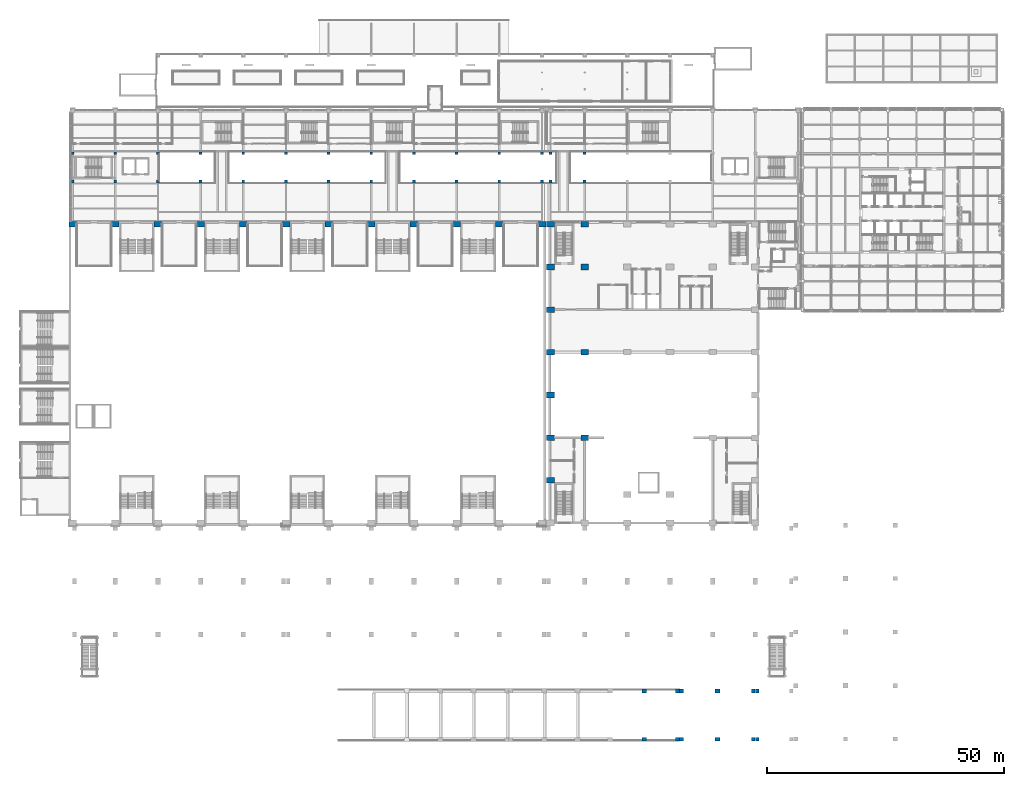
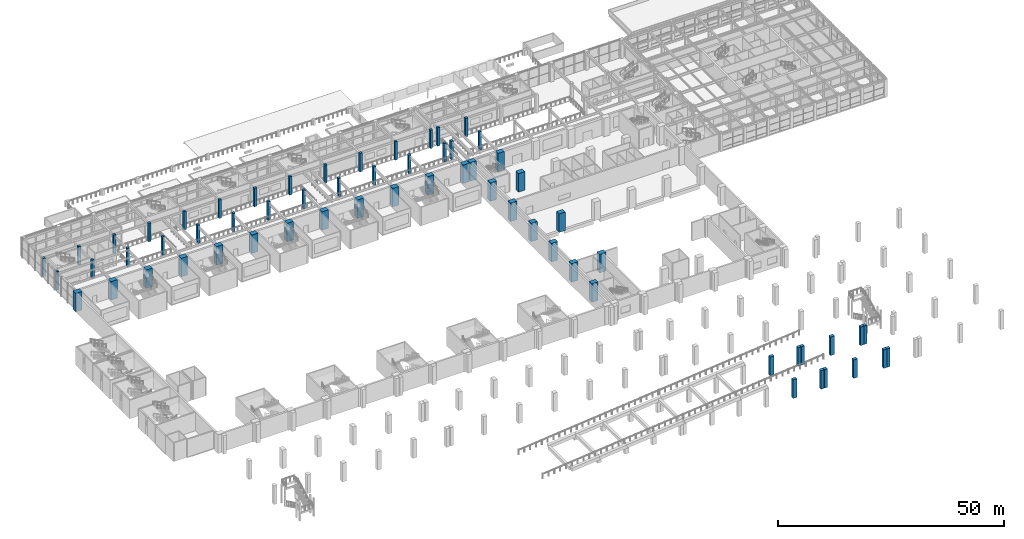
# One storey, part 2 of 67: 63 columns.
"""IFC4 building model written with IfcOpenShell, lengths in metres."""

from ifc_helpers import new_model, si_unit, direction, frame, origin, origin_2d, place, context, subcontext, project, spatial, rectangle, extrude, material, material_profile, profile_set, type_object, element, save


model = new_model("IFC4")

# Units and contexts
model_context = context("Model", 3, precision=1e-05, world=origin(), true_north=direction((0.0, 1.0)))
body_context = subcontext(model_context, "Body", "Model", "MODEL_VIEW")
ifc_project = project(units=[si_unit("LENGTHUNIT", "METRE"), si_unit("AREAUNIT", "SQUARE_METRE"), si_unit("VOLUMEUNIT", "CUBIC_METRE"), si_unit("PLANEANGLEUNIT", "RADIAN"), si_unit("MASSUNIT", "GRAM", prefix="KILO")], contexts=[model_context])

# Site, building, storey
site_placement = place(None, origin())
site = spatial("IfcSite", under=ifc_project, at=site_placement, CompositionType="ELEMENT")
building_placement = place(site_placement, origin())
building = spatial("IfcBuilding", under=site, at=building_placement, Name="Aravalli Gate Trade Fair Centre", CompositionType="ELEMENT")
storey_placement = place(building_placement, frame((0.0, 0.0, 5.0)))
storey = spatial("IfcBuildingStorey", under=building, at=storey_placement, Name="L01", CompositionType="ELEMENT", Elevation=5.0)

# Columns
ifc_material = material(Name="Concrete M45", Category="concrete")
ifc_material_profile_1 = material_profile(ifc_material, rectangle(XDim=1.60009765625, YDim=1.199951171875, at=origin_2d()), Name="RC 1600x1200")
ifc_profile_set_1 = profile_set([ifc_material_profile_1], Name="Concrete M45")
column_type_1 = type_object("IfcColumnType", Name="Congress RC column 1600 x 1200", PredefinedType="COLUMN", material=ifc_profile_set_1)
for number, where, z_axis, x_axis, name in (
    (1, (106.800048828125, 55.0, 0.0), (0.0, 0.0, 1.0), (1.0, 0.0, 0.0), "Congress column 106.8/55 L01"),
    (2, (106.800048828125, 64.0, 0.0), (0.0, 0.0, 1.0), (1.0, 0.0, 0.0), "Congress column 106.8/64 L01"),
    (3, (106.800048828125, 73.0, 0.0), (0.0, 0.0, 1.0), (1.0, 0.0, 0.0), "Congress column 106.8/73 L01"),
    (4, (106.800048828125, 82.0, 0.0), (0.0, 0.0, 1.0), (1.0, 0.0, 0.0), "Congress column 106.8/82 L01"),
    (5, (106.800048828125, 91.0, 0.0), (0.0, 0.0, 1.0), (1.0, 0.0, 0.0), "Congress column 106.8/91 L01"),
    (6, (106.800048828125, 100.0, 0.0), (0.0, 0.0, 1.0), (1.0, 0.0, 0.0), "Congress column 106.8/100 L01"),
    (7, (106.800048828125, 109.0, 0.0), (0.0, 0.0, 1.0), (1.0, 0.0, 0.0), "Congress column 106.8/109 L01"),
    (8, (114.0, 109.0, 0.0), (0.0, 0.0, 1.0), (1.0, 0.0, 0.0), "Congress column 114.0/109 L01"),
):
    element("IfcColumn", number, at=place(storey_placement, frame(where, z_axis=z_axis, x_axis=x_axis)), inside=storey, type_object=column_type_1, Name=name, PredefinedType="COLUMN", context=body_context, shape_type="SweptSolid", body=[
        extrude(rectangle(XDim=1.60009765625, YDim=1.199951171875, at=origin_2d()), origin(), (0.0, 0.0, 1.0), 5.0),
    ])
ifc_material_profile_2 = material_profile(ifc_material, rectangle(XDim=1.60009765625, YDim=1.199951171875, at=origin_2d()), Name="RC 1600x1200")
ifc_profile_set_2 = profile_set([ifc_material_profile_2], Name="Concrete M45")
column_type_2 = type_object("IfcColumnType", Name="Congress RC column 1600 x 1200, heavy stack", PredefinedType="COLUMN", material=ifc_profile_set_2)
for number, where, z_axis, x_axis, name in (
    (9, (114.0, 64.0, 0.0), (0.0, 0.0, 1.0), (1.0, 0.0, 0.0), "Congress column 114.0/64 L01"),
    (10, (114.0, 82.0, 0.0), (0.0, 0.0, 1.0), (1.0, 0.0, 0.0), "Congress column 114.0/82 L01"),
    (11, (114.0, 100.0, 0.0), (0.0, 0.0, 1.0), (1.0, 0.0, 0.0), "Congress column 114.0/100 L01"),
):
    element("IfcColumn", number, at=place(storey_placement, frame(where, z_axis=z_axis, x_axis=x_axis)), inside=storey, type_object=column_type_2, Name=name, PredefinedType="COLUMN", context=body_context, shape_type="SweptSolid", body=[
        extrude(rectangle(XDim=1.60009765625, YDim=1.199951171875, at=origin_2d()), origin(), (0.0, 0.0, 1.0), 5.0),
    ])
ifc_material_profile_3 = material_profile(ifc_material, rectangle(XDim=1.60009765625, YDim=1.199951171875, at=origin_2d()), Name="RC 1600x1200")
ifc_profile_set_3 = profile_set([ifc_material_profile_3], Name="Concrete M45")
column_type_3 = type_object("IfcColumnType", Name="Hall end-line spine column HC2", PredefinedType="COLUMN", material=ifc_profile_set_3)
for number, where, z_axis, x_axis, name in (
    (12, (6.0, 109.0, 0.0), (0.0, 0.0, 1.0), (1.0, 0.0, 0.0), "Spine column H1 L01"),
    (13, (105.0, 109.0, 0.0), (0.0, 0.0, 1.0), (1.0, 0.0, 0.0), "Spine column H12 L01"),
):
    element("IfcColumn", number, at=place(storey_placement, frame(where, z_axis=z_axis, x_axis=x_axis)), inside=storey, type_object=column_type_3, Name=name, PredefinedType="COLUMN", context=body_context, shape_type="SweptSolid", body=[
        extrude(rectangle(XDim=1.60009765625, YDim=1.199951171875, at=origin_2d()), origin(), (0.0, 0.0, 1.0), 5.0),
    ])
ifc_material_profile_4 = material_profile(ifc_material, rectangle(XDim=1.60009765625, YDim=1.199951171875, at=origin_2d()), Name="RC 1600x1200")
ifc_profile_set_4 = profile_set([ifc_material_profile_4], Name="Concrete M45")
column_type_4 = type_object("IfcColumnType", Name="Hall spine column HC1", PredefinedType="COLUMN", material=ifc_profile_set_4)
for number, where, z_axis, x_axis, name in (
    (14, (15.0, 109.0, 0.0), (0.0, 0.0, 1.0), (1.0, 0.0, 0.0), "Spine column H2 L01"),
    (15, (24.0, 109.0, 0.0), (0.0, 0.0, 1.0), (1.0, 0.0, 0.0), "Spine column H3 L01"),
    (16, (33.0, 109.0, 0.0), (0.0, 0.0, 1.0), (1.0, 0.0, 0.0), "Spine column H4 L01"),
    (17, (42.0, 109.0, 0.0), (0.0, 0.0, 1.0), (1.0, 0.0, 0.0), "Spine column H5 L01"),
    (18, (51.0, 109.0, 0.0), (0.0, 0.0, 1.0), (1.0, 0.0, 0.0), "Spine column H6 L01"),
    (19, (60.0, 109.0, 0.0), (0.0, 0.0, 1.0), (1.0, 0.0, 0.0), "Spine column H7 L01"),
    (20, (69.0, 109.0, 0.0), (0.0, 0.0, 1.0), (1.0, 0.0, 0.0), "Spine column H8 L01"),
    (21, (78.0, 109.0, 0.0), (0.0, 0.0, 1.0), (1.0, 0.0, 0.0), "Spine column H9 L01"),
    (22, (87.0, 109.0, 0.0), (0.0, 0.0, 1.0), (1.0, 0.0, 0.0), "Spine column H10 L01"),
    (23, (96.0, 109.0, 0.0), (0.0, 0.0, 1.0), (1.0, 0.0, 0.0), "Spine column H11 L01"),
):
    element("IfcColumn", number, at=place(storey_placement, frame(where, z_axis=z_axis, x_axis=x_axis)), inside=storey, type_object=column_type_4, Name=name, PredefinedType="COLUMN", context=body_context, shape_type="SweptSolid", body=[
        extrude(rectangle(XDim=1.60009765625, YDim=1.199951171875, at=origin_2d()), origin(), (0.0, 0.0, 1.0), 5.0),
    ])
ifc_material_profile_5 = material_profile(ifc_material, rectangle(XDim=0.60009765625, YDim=0.60009765625, at=origin_2d()), Name="RC column 600 x 600")
ifc_profile_set_5 = profile_set([ifc_material_profile_5], Name="Concrete M45")
column_type_5 = type_object("IfcColumnType", Name="RC column 600 x 600", PredefinedType="COLUMN", material=ifc_profile_set_5)
for number, where, z_axis, x_axis, name in (
    (24, (6.0, 118.0, 0.0), (0.0, 0.0, 1.0), (1.0, 0.0, 0.0), "Concourse column S01 L01"),
    (25, (6.0, 124.0, 0.0), (0.0, 0.0, 1.0), (1.0, 0.0, 0.0), "Concourse column N01 L01"),
    (26, (15.0, 118.0, 0.0), (0.0, 0.0, 1.0), (1.0, 0.0, 0.0), "Concourse column S02 L01"),
    (27, (15.0, 124.0, 0.0), (0.0, 0.0, 1.0), (1.0, 0.0, 0.0), "Concourse column N02 L01"),
    (28, (24.0, 118.0, 0.0), (0.0, 0.0, 1.0), (1.0, 0.0, 0.0), "Concourse column S03 L01"),
    (29, (24.0, 124.0, 0.0), (0.0, 0.0, 1.0), (1.0, 0.0, 0.0), "Concourse column N03 L01"),
    (30, (33.0, 118.0, 0.0), (0.0, 0.0, 1.0), (1.0, 0.0, 0.0), "Concourse column S04 L01"),
    (31, (33.0, 124.0, 0.0), (0.0, 0.0, 1.0), (1.0, 0.0, 0.0), "Concourse column N04 L01"),
    (32, (42.0, 118.0, 0.0), (0.0, 0.0, 1.0), (1.0, 0.0, 0.0), "Concourse column S05 L01"),
    (33, (42.0, 124.0, 0.0), (0.0, 0.0, 1.0), (1.0, 0.0, 0.0), "Concourse column N05 L01"),
    (34, (51.0, 118.0, 0.0), (0.0, 0.0, 1.0), (1.0, 0.0, 0.0), "Concourse column S06 L01"),
    (35, (51.0, 124.0, 0.0), (0.0, 0.0, 1.0), (1.0, 0.0, 0.0), "Concourse column N06 L01"),
    (36, (60.0, 118.0, 0.0), (0.0, 0.0, 1.0), (1.0, 0.0, 0.0), "Concourse column S07 L01"),
    (37, (60.0, 124.0, 0.0), (0.0, 0.0, 1.0), (1.0, 0.0, 0.0), "Concourse column N07 L01"),
    (38, (69.0, 118.0, 0.0), (0.0, 0.0, 1.0), (1.0, 0.0, 0.0), "Concourse column S08 L01"),
    (39, (69.0, 124.0, 0.0), (0.0, 0.0, 1.0), (1.0, 0.0, 0.0), "Concourse column N08 L01"),
    (40, (78.0, 118.0, 0.0), (0.0, 0.0, 1.0), (1.0, 0.0, 0.0), "Concourse column S09 L01"),
    (41, (78.0, 124.0, 0.0), (0.0, 0.0, 1.0), (1.0, 0.0, 0.0), "Concourse column N09 L01"),
    (42, (87.0, 118.0, 0.0), (0.0, 0.0, 1.0), (1.0, 0.0, 0.0), "Concourse column S10 L01"),
    (43, (87.0, 124.0, 0.0), (0.0, 0.0, 1.0), (1.0, 0.0, 0.0), "Concourse column N10 L01"),
    (44, (96.0, 118.0, 0.0), (0.0, 0.0, 1.0), (1.0, 0.0, 0.0), "Concourse column S11 L01"),
    (45, (96.0, 124.0, 0.0), (0.0, 0.0, 1.0), (1.0, 0.0, 0.0), "Concourse column N11 L01"),
    (46, (105.0, 118.0, 0.0), (0.0, 0.0, 1.0), (1.0, 0.0, 0.0), "Concourse column S12 L01"),
    (47, (105.0, 124.0, 0.0), (0.0, 0.0, 1.0), (1.0, 0.0, 0.0), "Concourse column N12 L01"),
    (48, (106.800048828125, 118.0, 0.0), (0.0, 0.0, 1.0), (1.0, 0.0, 0.0), "Concourse column S12A L01"),
    (49, (106.800048828125, 124.0, 0.0), (0.0, 0.0, 1.0), (1.0, 0.0, 0.0), "Concourse column N12A L01"),
    (50, (114.0, 118.0, 0.0), (0.0, 0.0, 1.0), (1.0, 0.0, 0.0), "Concourse column S13 L01"),
    (51, (114.0, 124.0, 0.0), (0.0, 0.0, 1.0), (1.0, 0.0, 0.0), "Concourse column N13 L01"),
):
    element("IfcColumn", number, at=place(storey_placement, frame(where, z_axis=z_axis, x_axis=x_axis)), inside=storey, type_object=column_type_5, Name=name, PredefinedType="COLUMN", context=body_context, shape_type="SweptSolid", body=[
        extrude(rectangle(XDim=0.60009765625, YDim=0.60009765625, at=origin_2d()), origin(), (0.0, 0.0, 1.0), 5.0),
    ])
ifc_material_profile_6 = material_profile(ifc_material, rectangle(XDim=1.0, YDim=0.800048828125, at=origin_2d()), Name="Ramp column RC 1000 x 800")
ifc_profile_set_6 = profile_set([ifc_material_profile_6], Name="Concrete M45")
column_type_6 = type_object("IfcColumnType", Name="Ramp column RC 1000 x 800", PredefinedType="COLUMN", material=ifc_profile_set_6)
for number, where, z_axis, x_axis, name in (
    (52, (126.548095703125, 0.39990234375, 0.0), (0.0, 0.0, 1.0), (1.0, 0.0, 0.0), "Ramp column col.ramp.RA1-F2.4.5S L01"),
    (53, (126.548095703125, 10.60009765625, 0.0), (0.0, 0.0, 1.0), (1.0, 0.0, 0.0), "Ramp column col.ramp.RA1-F2.4.5N L01"),
    (54, (142.0, 0.39990234375, 0.0), (0.0, 0.0, 1.0), (1.0, 0.0, 0.0), "Ramp column col.ramp.RA1-F2.5.2S L01"),
    (55, (142.0, 10.60009765625, 0.0), (0.0, 0.0, 1.0), (1.0, 0.0, 0.0), "Ramp column col.ramp.RA1-F2.5.2N L01"),
):
    element("IfcColumn", number, at=place(storey_placement, frame(where, z_axis=z_axis, x_axis=x_axis)), inside=storey, type_object=column_type_6, Name=name, PredefinedType="COLUMN", context=body_context, shape_type="SweptSolid", body=[
        extrude(rectangle(XDim=1.0, YDim=0.800048828125, at=origin_2d()), origin(), (0.0, 0.0, 1.0), 5.0),
    ])
ifc_material_profile_7 = material_profile(ifc_material, rectangle(XDim=0.800048828125, YDim=0.800048828125, at=origin_2d()), Name="Ramp column RC 800 x 800")
ifc_profile_set_7 = profile_set([ifc_material_profile_7], Name="Concrete M45")
column_type_7 = type_object("IfcColumnType", Name="Ramp column RC 800 x 800", PredefinedType="COLUMN", material=ifc_profile_set_7)
for number, where, z_axis, x_axis, name in (
    (56, (133.580078125, 0.39990234375, 0.0), (0.0, 0.0, 1.0), (1.0, 0.0, 0.0), "Ramp column col.ramp.RA1-F2.4.6S L01"),
    (57, (133.580078125, 10.60009765625, 0.0), (0.0, 0.0, 1.0), (1.0, 0.0, 0.0), "Ramp column col.ramp.RA1-F2.4.6N L01"),
    (58, (134.419921875, 0.39990234375, 0.0), (0.0, 0.0, 1.0), (1.0, 0.0, 0.0), "Ramp column col.ramp.RA1-F2.5.1S L01"),
    (59, (134.419921875, 10.60009765625, 0.0), (0.0, 0.0, 1.0), (1.0, 0.0, 0.0), "Ramp column col.ramp.RA1-F2.5.1N L01"),
    (60, (149.580078125, 0.39990234375, 0.0), (0.0, 0.0, 1.0), (1.0, 0.0, 0.0), "Ramp column col.ramp.RA1-F2.5.3S L01"),
    (61, (149.580078125, 10.60009765625, 0.0), (0.0, 0.0, 1.0), (1.0, 0.0, 0.0), "Ramp column col.ramp.RA1-F2.5.3N L01"),
    (62, (150.419921875, 0.39990234375, 0.0), (0.0, 0.0, 1.0), (1.0, 0.0, 0.0), "Ramp column col.ramp.RA1-F3.1S L01"),
    (63, (150.419921875, 10.60009765625, 0.0), (0.0, 0.0, 1.0), (1.0, 0.0, 0.0), "Ramp column col.ramp.RA1-F3.1N L01"),
):
    element("IfcColumn", number, at=place(storey_placement, frame(where, z_axis=z_axis, x_axis=x_axis)), inside=storey, type_object=column_type_7, Name=name, PredefinedType="COLUMN", context=body_context, shape_type="SweptSolid", body=[
        extrude(rectangle(XDim=0.800048828125, YDim=0.800048828125, at=origin_2d()), origin(), (0.0, 0.0, 1.0), 5.0),
    ])

save(model, "model.ifc")
